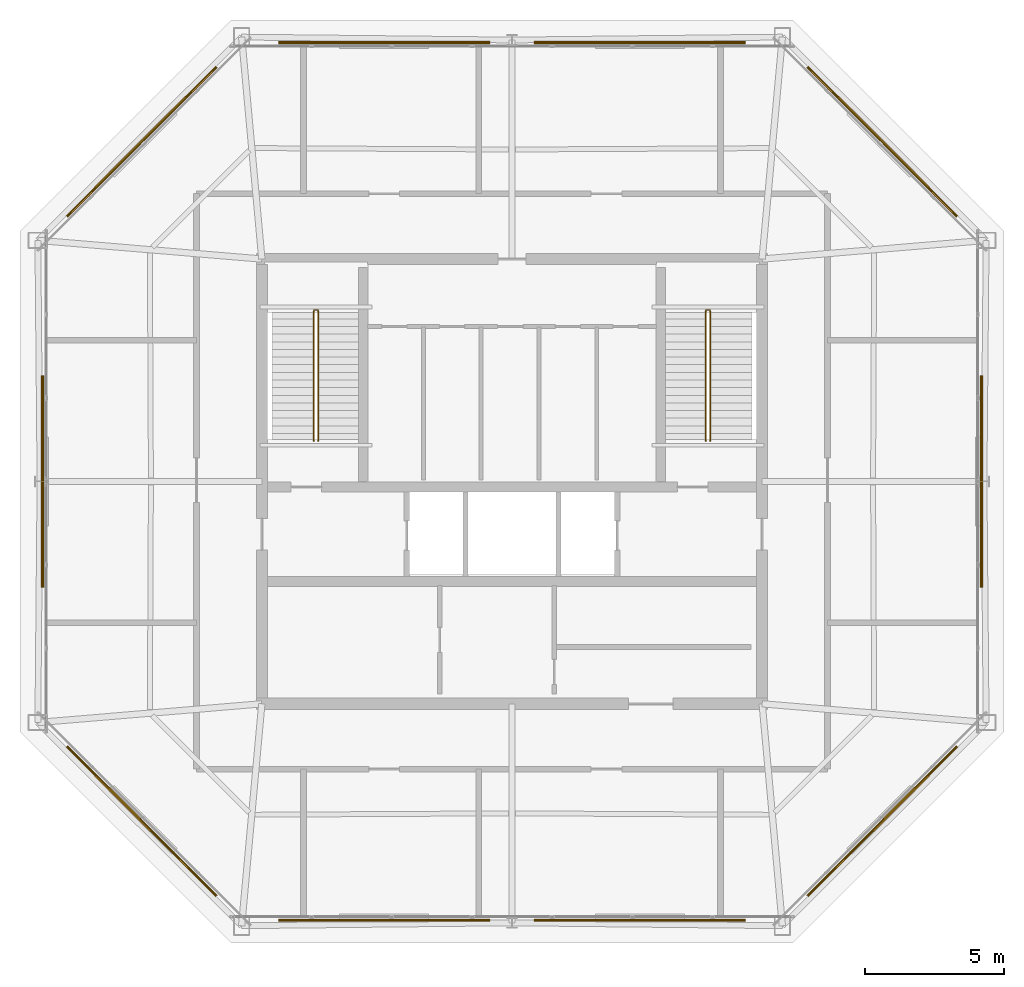
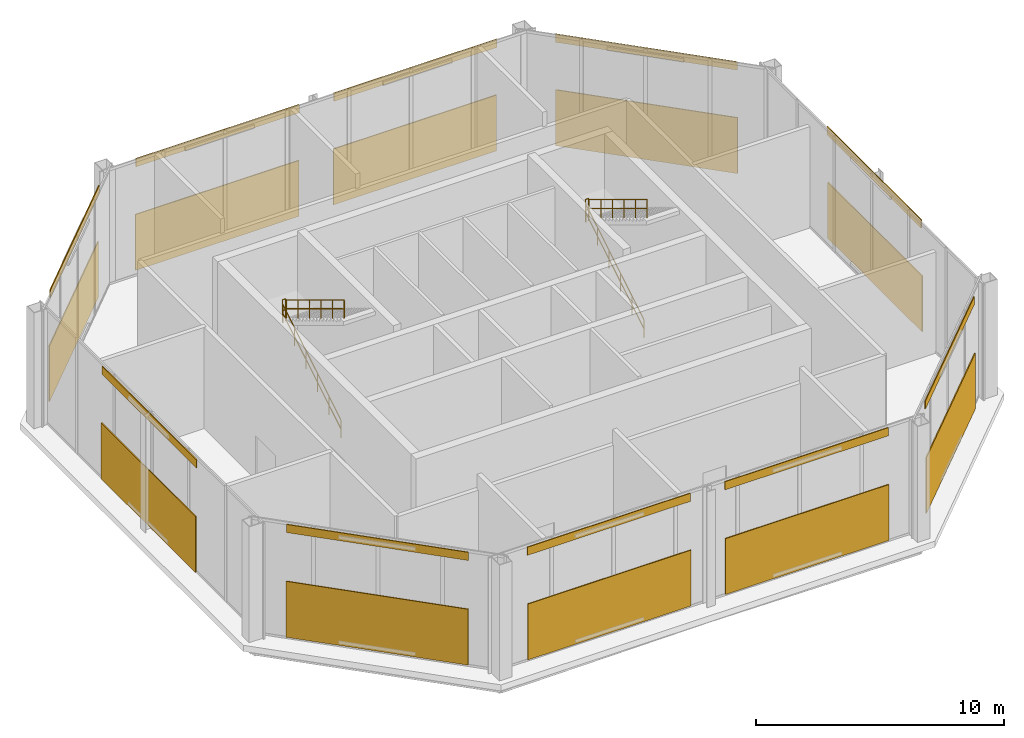
# One storey, part 20 of 20: 10 coverings, 10 shading devices, 6 railings.
"""IFC4 building model written with IfcOpenShell, lengths in metres."""

from ifc_helpers import new_model, si_unit, direction, frame, origin, origin_2d, place, context, subcontext, project, spatial, rectangle, circle, extrude, material, layer, layer_set, type_object, element, save


model = new_model("IFC4")

# Units and contexts
model_context = context("Model", 3, precision=1e-05, world=origin(), true_north=direction((0.0, 1.0)))
body_context = subcontext(model_context, "Body", "Model", "MODEL_VIEW")
ifc_project = project(units=[si_unit("LENGTHUNIT", "METRE"), si_unit("AREAUNIT", "SQUARE_METRE"), si_unit("VOLUMEUNIT", "CUBIC_METRE"), si_unit("PLANEANGLEUNIT", "RADIAN"), si_unit("MASSUNIT", "GRAM", prefix="KILO")], contexts=[model_context])

# Site, building, storey
site_placement = place(None, origin())
site = spatial("IfcSite", under=ifc_project, at=site_placement, CompositionType="ELEMENT")
building_placement = place(site_placement, origin())
building = spatial("IfcBuilding", under=site, at=building_placement, Name="Caelvoria Tower", CompositionType="ELEMENT")
storey_placement = place(building_placement, frame((0.0, 0.0, 284.199951171875)))
storey = spatial("IfcBuildingStorey", under=building, at=storey_placement, Name="C1", CompositionType="ELEMENT", Elevation=284.199951171875)

# Shading devices
ifc_material_1 = material(Name="Perforated Architectural Bronze Alloy Panel", Category="bronze")
ifc_layer_1 = layer(ifc_material_1, 0.050048828125, Name="Perforated Architectural Bronze Alloy Panel")
ifc_layer_set_1 = layer_set([ifc_layer_1], Name="Crown Perforated Bronze Facade Screen SCREEN - Perforated Architectural Bronze Alloy Panel")
shading_device_type = type_object("IfcShadingDeviceType", Name="Crown Perforated Bronze Facade Screen SCREEN", PredefinedType="USERDEFINED", material=ifc_layer_set_1)
for number, where, z_axis, x_axis, name in (
    (1, (41.39990234375, 16.195068359375, 0.16015625), (0.0, 0.0, 1.0), (1.0, 0.0, 0.0), "Perforated Bronze Solar Screen C1-E0-00"),
    (2, (50.60009765625, 16.195068359375, 0.16015625), (0.0, 0.0, 1.0), (1.0, 0.0, 0.0), "Perforated Bronze Solar Screen C1-E0-01"),
    (3, (59.337890625, 19.76220703125, 0.16015625), (0.0, 0.0, 1.0), (0.707106781187, 0.707106781187, 0.0), "Perforated Bronze Solar Screen C1-E1-00"),
    (4, (62.905029296875, 32.0, 0.16015625), (0.0, 0.0, 1.0), (0.0, 1.0, 0.0), "Perforated Bronze Solar Screen C1-E2-00"),
    (5, (59.337890625, 44.23779296875, 0.16015625), (0.0, 0.0, 1.0), (-0.707106781187, 0.707106781187, 0.0), "Perforated Bronze Solar Screen C1-E3-00"),
    (6, (50.60009765625, 47.804931640625, 0.16015625), (0.0, 0.0, 1.0), (-1.0, 0.0, 0.0), "Perforated Bronze Solar Screen C1-E4-00"),
    (7, (41.39990234375, 47.804931640625, 0.16015625), (0.0, 0.0, 1.0), (-1.0, 0.0, 0.0), "Perforated Bronze Solar Screen C1-E4-01"),
    (8, (32.662109375, 44.23779296875, 0.16015625), (0.0, 0.0, 1.0), (-0.707106781187, -0.707106781187, 0.0), "Perforated Bronze Solar Screen C1-E5-00"),
    (9, (29.094970703125, 32.0, 0.16015625), (0.0, 0.0, 1.0), (0.0, -1.0, 0.0), "Perforated Bronze Solar Screen C1-E6-00"),
    (10, (32.662109375, 19.76220703125, 0.16015625), (0.0, 0.0, 1.0), (0.707106781187, -0.707106781187, 0.0), "Perforated Bronze Solar Screen C1-E7-00"),
):
    element("IfcShadingDevice", number, at=place(storey_placement, frame(where, z_axis=z_axis, x_axis=x_axis)), inside=storey, type_object=shading_device_type, Name=name, ObjectType="SCREEN", PredefinedType="USERDEFINED", context=body_context, shape_type="SweptSolid", body=[
        extrude(rectangle(XDim=7.60009765625, YDim=0.044921875, at=origin_2d()), origin(), (0.0, 0.0, 1.0), 2.75),
    ])

# Coverings
ifc_material_2 = material(Name="Perforated Architectural Bronze Cladding Screen", Category="bronze")
ifc_layer_2 = layer(ifc_material_2, 0.0400390625, Name="Perforated Architectural Bronze Cladding Screen")
ifc_layer_set_2 = layer_set([ifc_layer_2], Name="Perforated Bronze Louvre Cladding Band 40 - Perforated Architectural Bronze Cladding Screen")
covering_type = type_object("IfcCoveringType", Name="Perforated Bronze Louvre Cladding Band 40", PredefinedType="CLADDING", material=ifc_layer_set_2)
for number, where, z_axis, x_axis, name in (
    (11, (41.39990234375, 16.238037109375, 5.280029296875), (0.0, 0.0, 1.0), (1.0, 0.0, 0.0), "Perforated Bronze Screen Band C1-E0-00"),
    (12, (50.60009765625, 16.238037109375, 5.280029296875), (0.0, 0.0, 1.0), (1.0, 0.0, 0.0), "Perforated Bronze Screen Band C1-E0-01"),
    (13, (59.307373046875, 19.79248046875, 5.280029296875), (0.0, 0.0, 1.0), (0.707106781187, 0.707106781187, 0.0), "Perforated Bronze Screen Band C1-E1-00"),
    (14, (62.862060546875, 32.0, 5.280029296875), (0.0, 0.0, 1.0), (0.0, 1.0, 0.0), "Perforated Bronze Screen Band C1-E2-00"),
    (15, (59.307373046875, 44.20751953125, 5.280029296875), (0.0, 0.0, 1.0), (-0.707106781187, 0.707106781187, 0.0), "Perforated Bronze Screen Band C1-E3-00"),
    (16, (50.60009765625, 47.761962890625, 5.280029296875), (0.0, 0.0, 1.0), (-1.0, 0.0, 0.0), "Perforated Bronze Screen Band C1-E4-00"),
    (17, (41.39990234375, 47.761962890625, 5.280029296875), (0.0, 0.0, 1.0), (-1.0, 0.0, 0.0), "Perforated Bronze Screen Band C1-E4-01"),
    (18, (32.692626953125, 44.20751953125, 5.280029296875), (0.0, 0.0, 1.0), (-0.707106781187, -0.707106781187, 0.0), "Perforated Bronze Screen Band C1-E5-00"),
    (19, (29.137939453125, 32.0, 5.280029296875), (0.0, 0.0, 1.0), (0.0, -1.0, 0.0), "Perforated Bronze Screen Band C1-E6-00"),
    (20, (32.692626953125, 19.79248046875, 5.280029296875), (0.0, 0.0, 1.0), (0.707106781187, -0.707106781187, 0.0), "Perforated Bronze Screen Band C1-E7-00"),
):
    element("IfcCovering", number, at=place(storey_placement, frame(where, z_axis=z_axis, x_axis=x_axis)), inside=storey, type_object=covering_type, Name=name, PredefinedType="CLADDING", context=body_context, shape_type="SweptSolid", body=[
        extrude(rectangle(XDim=7.60009765625, YDim=0.0400390625, at=origin_2d()), origin(), (0.0, 0.0, 1.0), 0.39990234375),
    ])

# Railings
ifc_material_3 = material(Name="Brushed Stainless Steel Tube", Category="steel")
railing_type_1 = type_object("IfcRailingType", Name="Stair Tubular Stainless Handrail 920", PredefinedType="HANDRAIL", material=ifc_material_3)
railing_1_placement = place(storey_placement, frame((38.8701171875, 33.449951171875, 0.166748046875)))
element("IfcRailing", 21, at=railing_1_placement, inside=storey, type_object=railing_type_1, Name="ST-01 Flight 1 Handrail C1", PredefinedType="HANDRAIL", context=body_context, shape_type="SweptSolid", body=[
    extrude(circle(Radius=0.02392578125, at=origin_2d()), frame((0.0, 0.0, 0.89599609375), z_axis=(0.0, 0.855206829542, 0.518286869123), x_axis=(-1.0, 0.0, 0.0)), (0.0, 0.0, 1.0), 5.466552734375),
    extrude(circle(Radius=0.02392578125, at=origin_2d()), frame((0.0, 0.0, 0.4599609375), z_axis=(0.0, 0.855206829542, 0.518286869123), x_axis=(-1.0, 0.0, 0.0)), (0.0, 0.0, 1.0), 5.466552734375),
    extrude(circle(Radius=0.02099609375, at=origin_2d()), origin(), (0.0, 0.0, 1.0), 0.871826171875),
    extrude(circle(Radius=0.02099609375, at=origin_2d()), frame((0.0, 0.93505859375, 0.566650390625)), (0.0, 0.0, 1.0), 0.871826171875),
    extrude(circle(Radius=0.02099609375, at=origin_2d()), frame((0.0, 1.8701171875, 1.13330078125)), (0.0, 0.0, 1.0), 0.871826171875),
    extrude(circle(Radius=0.02099609375, at=origin_2d()), frame((0.0, 2.804931640625, 1.699951171875)), (0.0, 0.0, 1.0), 0.871826171875),
    extrude(circle(Radius=0.02099609375, at=origin_2d()), frame((0.0, 3.739990234375, 2.2666015625)), (0.0, 0.0, 1.0), 0.871826171875),
    extrude(circle(Radius=0.02099609375, at=origin_2d()), frame((0.0, 4.675048828125, 2.833251953125)), (0.0, 0.0, 1.0), 0.871826171875),
])
railing_2_placement = place(storey_placement, frame((39.030029296875, 38.125, 3.166748046875)))
element("IfcRailing", 22, at=railing_2_placement, inside=storey, type_object=railing_type_1, Name="ST-01 Flight 2 Handrail C1", PredefinedType="HANDRAIL", context=body_context, shape_type="SweptSolid", body=[
    extrude(circle(Radius=0.02392578125, at=origin_2d()), frame((0.0, 0.0, 0.89599609375), z_axis=(0.0, -0.855206829542, 0.518286869123), x_axis=(1.0, 0.0, 0.0)), (0.0, 0.0, 1.0), 5.466552734375),
    extrude(circle(Radius=0.02392578125, at=origin_2d()), frame((0.0, 0.0, 0.4599609375), z_axis=(0.0, -0.855206829542, 0.518286869123), x_axis=(1.0, 0.0, 0.0)), (0.0, 0.0, 1.0), 5.466552734375),
    extrude(circle(Radius=0.02099609375, at=origin_2d()), origin(), (0.0, 0.0, 1.0), 0.871826171875),
    extrude(circle(Radius=0.02099609375, at=origin_2d()), frame((0.0, -0.93505859375, 0.566650390625)), (0.0, 0.0, 1.0), 0.871826171875),
    extrude(circle(Radius=0.02099609375, at=origin_2d()), frame((0.0, -1.8701171875, 1.13330078125)), (0.0, 0.0, 1.0), 0.871826171875),
    extrude(circle(Radius=0.02099609375, at=origin_2d()), frame((0.0, -2.804931640625, 1.699951171875)), (0.0, 0.0, 1.0), 0.871826171875),
    extrude(circle(Radius=0.02099609375, at=origin_2d()), frame((0.0, -3.739990234375, 2.2666015625)), (0.0, 0.0, 1.0), 0.871826171875),
    extrude(circle(Radius=0.02099609375, at=origin_2d()), frame((0.0, -4.675048828125, 2.833251953125)), (0.0, 0.0, 1.0), 0.871826171875),
])
railing_3_placement = place(storey_placement, frame((52.969970703125, 33.449951171875, 0.166748046875)))
element("IfcRailing", 23, at=railing_3_placement, inside=storey, type_object=railing_type_1, Name="ST-02 Flight 1 Handrail C1", PredefinedType="HANDRAIL", context=body_context, shape_type="SweptSolid", body=[
    extrude(circle(Radius=0.02392578125, at=origin_2d()), frame((0.0, 0.0, 0.89599609375), z_axis=(0.0, 0.855206829542, 0.518286869123), x_axis=(-1.0, 0.0, 0.0)), (0.0, 0.0, 1.0), 5.466552734375),
    extrude(circle(Radius=0.02392578125, at=origin_2d()), frame((0.0, 0.0, 0.4599609375), z_axis=(0.0, 0.855206829542, 0.518286869123), x_axis=(-1.0, 0.0, 0.0)), (0.0, 0.0, 1.0), 5.466552734375),
    extrude(circle(Radius=0.02099609375, at=origin_2d()), origin(), (0.0, 0.0, 1.0), 0.871826171875),
    extrude(circle(Radius=0.02099609375, at=origin_2d()), frame((0.0, 0.93505859375, 0.566650390625)), (0.0, 0.0, 1.0), 0.871826171875),
    extrude(circle(Radius=0.02099609375, at=origin_2d()), frame((0.0, 1.8701171875, 1.13330078125)), (0.0, 0.0, 1.0), 0.871826171875),
    extrude(circle(Radius=0.02099609375, at=origin_2d()), frame((0.0, 2.804931640625, 1.699951171875)), (0.0, 0.0, 1.0), 0.871826171875),
    extrude(circle(Radius=0.02099609375, at=origin_2d()), frame((0.0, 3.739990234375, 2.2666015625)), (0.0, 0.0, 1.0), 0.871826171875),
    extrude(circle(Radius=0.02099609375, at=origin_2d()), frame((0.0, 4.675048828125, 2.833251953125)), (0.0, 0.0, 1.0), 0.871826171875),
])
railing_4_placement = place(storey_placement, frame((53.1298828125, 38.125, 3.166748046875)))
element("IfcRailing", 24, at=railing_4_placement, inside=storey, type_object=railing_type_1, Name="ST-02 Flight 2 Handrail C1", PredefinedType="HANDRAIL", context=body_context, shape_type="SweptSolid", body=[
    extrude(circle(Radius=0.02392578125, at=origin_2d()), frame((0.0, 0.0, 0.89599609375), z_axis=(0.0, -0.855206829542, 0.518286869123), x_axis=(1.0, 0.0, 0.0)), (0.0, 0.0, 1.0), 5.466552734375),
    extrude(circle(Radius=0.02392578125, at=origin_2d()), frame((0.0, 0.0, 0.4599609375), z_axis=(0.0, -0.855206829542, 0.518286869123), x_axis=(1.0, 0.0, 0.0)), (0.0, 0.0, 1.0), 5.466552734375),
    extrude(circle(Radius=0.02099609375, at=origin_2d()), origin(), (0.0, 0.0, 1.0), 0.871826171875),
    extrude(circle(Radius=0.02099609375, at=origin_2d()), frame((0.0, -0.93505859375, 0.566650390625)), (0.0, 0.0, 1.0), 0.871826171875),
    extrude(circle(Radius=0.02099609375, at=origin_2d()), frame((0.0, -1.8701171875, 1.13330078125)), (0.0, 0.0, 1.0), 0.871826171875),
    extrude(circle(Radius=0.02099609375, at=origin_2d()), frame((0.0, -2.804931640625, 1.699951171875)), (0.0, 0.0, 1.0), 0.871826171875),
    extrude(circle(Radius=0.02099609375, at=origin_2d()), frame((0.0, -3.739990234375, 2.2666015625)), (0.0, 0.0, 1.0), 0.871826171875),
    extrude(circle(Radius=0.02099609375, at=origin_2d()), frame((0.0, -4.675048828125, 2.833251953125)), (0.0, 0.0, 1.0), 0.871826171875),
])
ifc_material_4 = material(Name="Brushed Stainless Steel Guardrail", Category="steel")
railing_type_2 = type_object("IfcRailingType", Name="Stair Well and Ramp Guardrail 1120", PredefinedType="GUARDRAIL", material=ifc_material_4)
for number, where, name in (
    (25, (38.8701171875, 38.1650390625, 3.0), "ST-01 Half-Landing Well Guard C1"),
    (26, (52.969970703125, 38.1650390625, 3.0), "ST-02 Half-Landing Well Guard C1"),
):
    element("IfcRailing", number, at=place(storey_placement, frame(where)), inside=storey, type_object=railing_type_2, Name=name, PredefinedType="GUARDRAIL", context=body_context, shape_type="SweptSolid", body=[
        extrude(circle(Radius=0.02392578125, at=origin_2d()), frame((0.0, 0.0, 1.09619140625), z_axis=(1.0, 0.0, 0.0), x_axis=(0.0, 1.0, 0.0)), (0.0, 0.0, 1.0), 0.159912109375),
        extrude(circle(Radius=0.02392578125, at=origin_2d()), frame((0.0, 0.0, 0.56005859375), z_axis=(1.0, 0.0, 0.0), x_axis=(0.0, 1.0, 0.0)), (0.0, 0.0, 1.0), 0.159912109375),
        extrude(circle(Radius=0.02099609375, at=origin_2d()), origin(), (0.0, 0.0, 1.0), 1.072021484375),
        extrude(circle(Radius=0.02099609375, at=origin_2d()), frame((0.159912109375, 0.0, 0.0)), (0.0, 0.0, 1.0), 1.072021484375),
    ])

save(model, "model.ifc")
